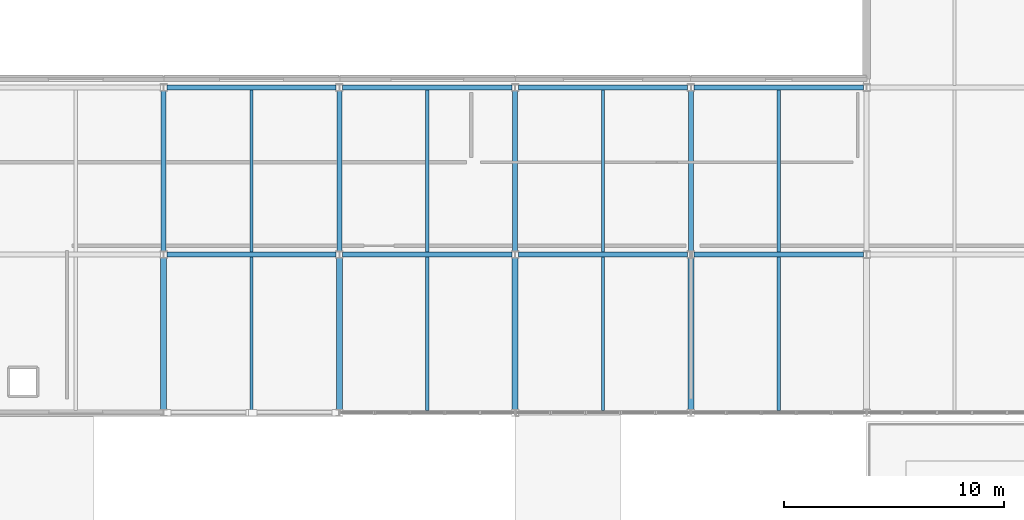
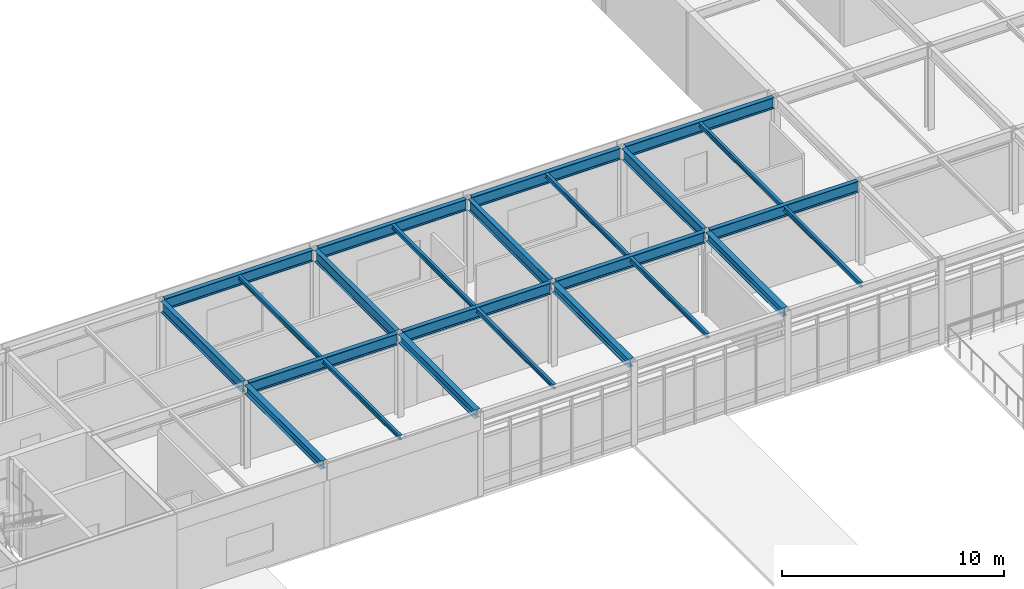
# One storey, part 35 of 100: 24 beams.
"""IFC4 building model written with IfcOpenShell, lengths in metres."""

from ifc_helpers import new_model, si_unit, direction, frame, origin, origin_2d, place, context, subcontext, project, spatial, i_section, extrude, material, material_profile, profile_set, type_object, element, save


model = new_model("IFC4")

# Units and contexts
model_context = context("Model", 3, precision=1e-05, world=origin(), true_north=direction((0.0, 1.0)))
body_context = subcontext(model_context, "Body", "Model", "MODEL_VIEW")
ifc_project = project(units=[si_unit("LENGTHUNIT", "METRE"), si_unit("AREAUNIT", "SQUARE_METRE"), si_unit("VOLUMEUNIT", "CUBIC_METRE"), si_unit("PLANEANGLEUNIT", "RADIAN"), si_unit("MASSUNIT", "GRAM", prefix="KILO")], contexts=[model_context])

# Site, building, storey
site_placement = place(None, origin())
site = spatial("IfcSite", under=ifc_project, at=site_placement, CompositionType="ELEMENT")
building_placement = place(site_placement, origin())
building = spatial("IfcBuilding", under=site, at=building_placement, Name="Zulena Civic Courthouse", CompositionType="ELEMENT")
storey_placement = place(building_placement, frame((0.0, 0.0, 20.39990234375)))
storey = spatial("IfcBuildingStorey", under=building, at=storey_placement, Name="L04", CompositionType="ELEMENT", Elevation=20.39990234375)

# Beams
ifc_material = material(Name="Steel ASTM A992 Grade 50", Category="steel")
ifc_material_profile_1 = material_profile(ifc_material, i_section(OverallWidth=0.22802734375, OverallDepth=0.60693359375, WebThickness=0.01123046875, FlangeThickness=0.017333984375, FilletRadius=0.0126953125, at=origin_2d()), Name="W24X76")
ifc_profile_set_1 = profile_set([ifc_material_profile_1], Name="Steel ASTM A992 Grade 50")
beam_type_1 = type_object("IfcBeamType", Name="Girder_W24X76", PredefinedType="BEAM", material=ifc_profile_set_1)
for number, where, z_axis, x_axis, name in (
    (1, (36.0, 53.344970703125, 4.29150390625), (0.0, 1.0, 0.0), (-1.0, 0.0, 0.0), "beam:Y:V5:L04:36.0:53.2_60.8"),
    (2, (44.0, 53.344970703125, 4.29150390625), (0.0, 1.0, 0.0), (-1.0, 0.0, 0.0), "beam:Y:V5:L04:44.0:53.2_60.8"),
    (3, (52.0, 53.344970703125, 4.29150390625), (0.0, 1.0, 0.0), (-1.0, 0.0, 0.0), "beam:Y:V5:L04:52.0:53.2_60.8"),
    (4, (60.0, 53.344970703125, 4.29150390625), (0.0, 1.0, 0.0), (-1.0, 0.0, 0.0), "beam:Y:V5:L04:60.0:53.2_60.8"),
):
    element("IfcBeam", number, at=place(storey_placement, frame(where, z_axis=z_axis, x_axis=x_axis)), inside=storey, type_object=beam_type_1, Name=name, PredefinedType="BEAM", context=body_context, shape_type="SweptSolid", body=[
        extrude(i_section(OverallWidth=0.22802734375, OverallDepth=0.60693359375, WebThickness=0.01123046875, FlangeThickness=0.017333984375, FilletRadius=0.0126953125, at=origin_2d()), origin(), (0.0, 0.0, 1.0), 7.31005859375),
    ])
ifc_material_profile_2 = material_profile(ifc_material, i_section(OverallWidth=0.22998046875, OverallDepth=0.616943359375, WebThickness=0.01318359375, FlangeThickness=0.022216796875, FilletRadius=0.0126953125, at=origin_2d()), Name="W24X94")
ifc_profile_set_2 = profile_set([ifc_material_profile_2], Name="Steel ASTM A992 Grade 50")
beam_type_2 = type_object("IfcBeamType", Name="Girder_W24X94", PredefinedType="BEAM", material=ifc_profile_set_2)
for number, where, z_axis, x_axis, name in (
    (5, (36.14501953125, 53.199951171875, 4.28662109375), (1.0, 0.0, 0.0), (0.0, 1.0, 0.0), "beam:X:V5:L04:53.2:36.0_44.0"),
    (6, (44.14501953125, 53.199951171875, 4.28662109375), (1.0, 0.0, 0.0), (0.0, 1.0, 0.0), "beam:X:V5:L04:53.2:44.0_52.0"),
    (7, (52.14501953125, 53.199951171875, 4.28662109375), (1.0, 0.0, 0.0), (0.0, 1.0, 0.0), "beam:X:V5:L04:53.2:52.0_60.0"),
    (8, (60.14501953125, 53.199951171875, 4.28662109375), (1.0, 0.0, 0.0), (0.0, 1.0, 0.0), "beam:X:V5:L04:53.2:60.0_68.0"),
    (9, (36.14501953125, 60.800048828125, 4.28662109375), (1.0, 0.0, 0.0), (0.0, 1.0, 0.0), "beam:X:V5:L04:60.8:36.0_44.0"),
    (10, (44.14501953125, 60.800048828125, 4.28662109375), (1.0, 0.0, 0.0), (0.0, 1.0, 0.0), "beam:X:V5:L04:60.8:44.0_52.0"),
    (11, (52.14501953125, 60.800048828125, 4.28662109375), (1.0, 0.0, 0.0), (0.0, 1.0, 0.0), "beam:X:V5:L04:60.8:52.0_60.0"),
    (12, (60.14501953125, 60.800048828125, 4.28662109375), (1.0, 0.0, 0.0), (0.0, 1.0, 0.0), "beam:X:V5:L04:60.8:60.0_68.0"),
):
    element("IfcBeam", number, at=place(storey_placement, frame(where, z_axis=z_axis, x_axis=x_axis)), inside=storey, type_object=beam_type_2, Name=name, PredefinedType="BEAM", context=body_context, shape_type="SweptSolid", body=[
        extrude(i_section(OverallWidth=0.22998046875, OverallDepth=0.616943359375, WebThickness=0.01318359375, FlangeThickness=0.022216796875, FilletRadius=0.0126953125, at=origin_2d()), origin(), (0.0, 0.0, 1.0), 7.7099609375),
    ])
ifc_material_profile_3 = material_profile(ifc_material, i_section(OverallWidth=0.14599609375, OverallDepth=0.258056640625, WebThickness=0.006103515625, FlangeThickness=0.009033203125, FilletRadius=0.007568359375, at=origin_2d()), Name="W10X22")
ifc_profile_set_3 = profile_set([ifc_material_profile_3], Name="Steel ASTM A992 Grade 50")
beam_type_3 = type_object("IfcBeamType", Name="Joist_W10X22", PredefinedType="JOIST", material=ifc_profile_set_3)
beam_1_placement = place(storey_placement, frame((40.0, 46.10498046875, 4.466064453125), z_axis=(0.0, 1.0, 0.0), x_axis=(-1.0, 0.0, 0.0)))
element("IfcBeam", 13, at=beam_1_placement, inside=storey, type_object=beam_type_3, Name="joist:V5:L04:40.00:46.0_53.2", PredefinedType="JOIST", context=body_context, shape_type="SweptSolid", body=[
    extrude(i_section(OverallWidth=0.14599609375, OverallDepth=0.258056640625, WebThickness=0.006103515625, FlangeThickness=0.009033203125, FilletRadius=0.007568359375, at=origin_2d()), origin(), (0.0, 0.0, 1.0), 6.989990234375),
])
beam_2_placement = place(storey_placement, frame((40.0, 53.304931640625, 4.466064453125), z_axis=(0.0, 1.0, 0.0), x_axis=(-1.0, 0.0, 0.0)))
element("IfcBeam", 14, at=beam_2_placement, inside=storey, type_object=beam_type_3, Name="joist:V5:L04:40.00:53.2_60.8", PredefinedType="JOIST", context=body_context, shape_type="SweptSolid", body=[
    extrude(i_section(OverallWidth=0.14599609375, OverallDepth=0.258056640625, WebThickness=0.006103515625, FlangeThickness=0.009033203125, FilletRadius=0.007568359375, at=origin_2d()), origin(), (0.0, 0.0, 1.0), 7.39013671875),
])
beam_3_placement = place(storey_placement, frame((48.0, 46.10498046875, 4.466064453125), z_axis=(0.0, 1.0, 0.0), x_axis=(-1.0, 0.0, 0.0)))
element("IfcBeam", 15, at=beam_3_placement, inside=storey, type_object=beam_type_3, Name="joist:V5:L04:48.00:46.0_53.2", PredefinedType="JOIST", context=body_context, shape_type="SweptSolid", body=[
    extrude(i_section(OverallWidth=0.14599609375, OverallDepth=0.258056640625, WebThickness=0.006103515625, FlangeThickness=0.009033203125, FilletRadius=0.007568359375, at=origin_2d()), origin(), (0.0, 0.0, 1.0), 6.989990234375),
])
beam_4_placement = place(storey_placement, frame((48.0, 53.304931640625, 4.466064453125), z_axis=(0.0, 1.0, 0.0), x_axis=(-1.0, 0.0, 0.0)))
element("IfcBeam", 16, at=beam_4_placement, inside=storey, type_object=beam_type_3, Name="joist:V5:L04:48.00:53.2_60.8", PredefinedType="JOIST", context=body_context, shape_type="SweptSolid", body=[
    extrude(i_section(OverallWidth=0.14599609375, OverallDepth=0.258056640625, WebThickness=0.006103515625, FlangeThickness=0.009033203125, FilletRadius=0.007568359375, at=origin_2d()), origin(), (0.0, 0.0, 1.0), 7.39013671875),
])
beam_5_placement = place(storey_placement, frame((56.0, 46.10498046875, 4.466064453125), z_axis=(0.0, 1.0, 0.0), x_axis=(-1.0, 0.0, 0.0)))
element("IfcBeam", 17, at=beam_5_placement, inside=storey, type_object=beam_type_3, Name="joist:V5:L04:56.00:46.0_53.2", PredefinedType="JOIST", context=body_context, shape_type="SweptSolid", body=[
    extrude(i_section(OverallWidth=0.14599609375, OverallDepth=0.258056640625, WebThickness=0.006103515625, FlangeThickness=0.009033203125, FilletRadius=0.007568359375, at=origin_2d()), origin(), (0.0, 0.0, 1.0), 6.989990234375),
])
beam_6_placement = place(storey_placement, frame((56.0, 53.304931640625, 4.466064453125), z_axis=(0.0, 1.0, 0.0), x_axis=(-1.0, 0.0, 0.0)))
element("IfcBeam", 18, at=beam_6_placement, inside=storey, type_object=beam_type_3, Name="joist:V5:L04:56.00:53.2_60.8", PredefinedType="JOIST", context=body_context, shape_type="SweptSolid", body=[
    extrude(i_section(OverallWidth=0.14599609375, OverallDepth=0.258056640625, WebThickness=0.006103515625, FlangeThickness=0.009033203125, FilletRadius=0.007568359375, at=origin_2d()), origin(), (0.0, 0.0, 1.0), 7.39013671875),
])
beam_7_placement = place(storey_placement, frame((64.0, 46.10498046875, 4.466064453125), z_axis=(0.0, 1.0, 0.0), x_axis=(-1.0, 0.0, 0.0)))
element("IfcBeam", 19, at=beam_7_placement, inside=storey, type_object=beam_type_3, Name="joist:V5:L04:64.00:46.0_53.2", PredefinedType="JOIST", context=body_context, shape_type="SweptSolid", body=[
    extrude(i_section(OverallWidth=0.14599609375, OverallDepth=0.258056640625, WebThickness=0.006103515625, FlangeThickness=0.009033203125, FilletRadius=0.007568359375, at=origin_2d()), origin(), (0.0, 0.0, 1.0), 6.989990234375),
])
beam_8_placement = place(storey_placement, frame((64.0, 53.304931640625, 4.466064453125), z_axis=(0.0, 1.0, 0.0), x_axis=(-1.0, 0.0, 0.0)))
element("IfcBeam", 20, at=beam_8_placement, inside=storey, type_object=beam_type_3, Name="joist:V5:L04:64.00:53.2_60.8", PredefinedType="JOIST", context=body_context, shape_type="SweptSolid", body=[
    extrude(i_section(OverallWidth=0.14599609375, OverallDepth=0.258056640625, WebThickness=0.006103515625, FlangeThickness=0.009033203125, FilletRadius=0.007568359375, at=origin_2d()), origin(), (0.0, 0.0, 1.0), 7.39013671875),
])
ifc_material_profile_4 = material_profile(ifc_material, i_section(OverallWidth=0.280029296875, OverallDepth=0.462890625, WebThickness=0.0107421875, FlangeThickness=0.017333984375, FilletRadius=0.01025390625, at=origin_2d()), Name="W18X76")
ifc_profile_set_4 = profile_set([ifc_material_profile_4], Name="Steel ASTM A992 Grade 50")
beam_type_4 = type_object("IfcBeamType", Name="Spandrel_W18X76", PredefinedType="SPANDREL", material=ifc_profile_set_4)
for number, where, z_axis, x_axis, name in (
    (21, (36.0, 46.14501953125, 4.363525390625), (0.0, 1.0, 0.0), (-1.0, 0.0, 0.0), "beam:Y:V5:L04:36.0:46.0_53.2"),
    (22, (44.0, 46.14501953125, 4.363525390625), (0.0, 1.0, 0.0), (-1.0, 0.0, 0.0), "beam:Y:V5:L04:44.0:46.0_53.2"),
    (23, (52.0, 46.14501953125, 4.363525390625), (0.0, 1.0, 0.0), (-1.0, 0.0, 0.0), "beam:Y:V5:L04:52.0:46.0_53.2"),
    (24, (60.0, 46.14501953125, 4.363525390625), (0.0, 1.0, 0.0), (-1.0, 0.0, 0.0), "beam:Y:V5:L04:60.0:46.0_53.2"),
):
    element("IfcBeam", number, at=place(storey_placement, frame(where, z_axis=z_axis, x_axis=x_axis)), inside=storey, type_object=beam_type_4, Name=name, PredefinedType="SPANDREL", context=body_context, shape_type="SweptSolid", body=[
        extrude(i_section(OverallWidth=0.280029296875, OverallDepth=0.462890625, WebThickness=0.0107421875, FlangeThickness=0.017333984375, FilletRadius=0.01025390625, at=origin_2d()), origin(), (0.0, 0.0, 1.0), 6.909912109375),
    ])

save(model, "model.ifc")
